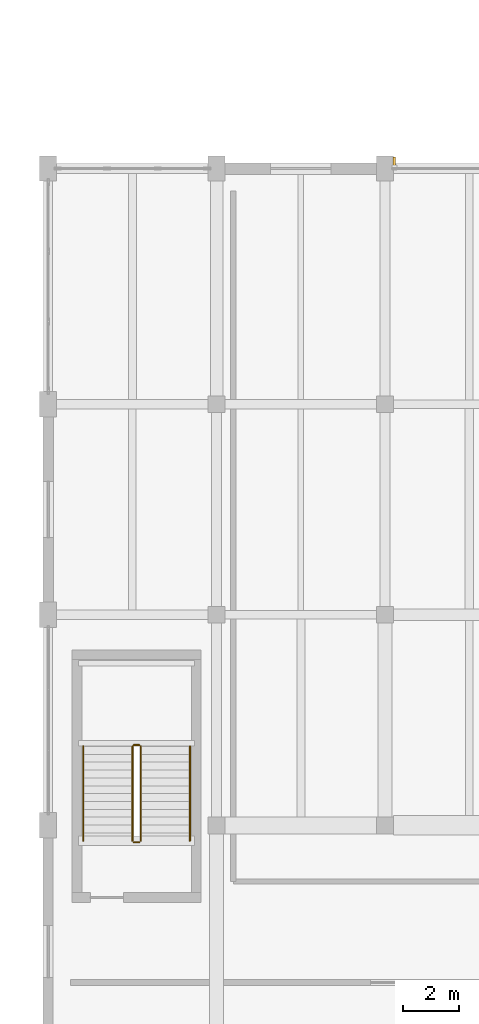
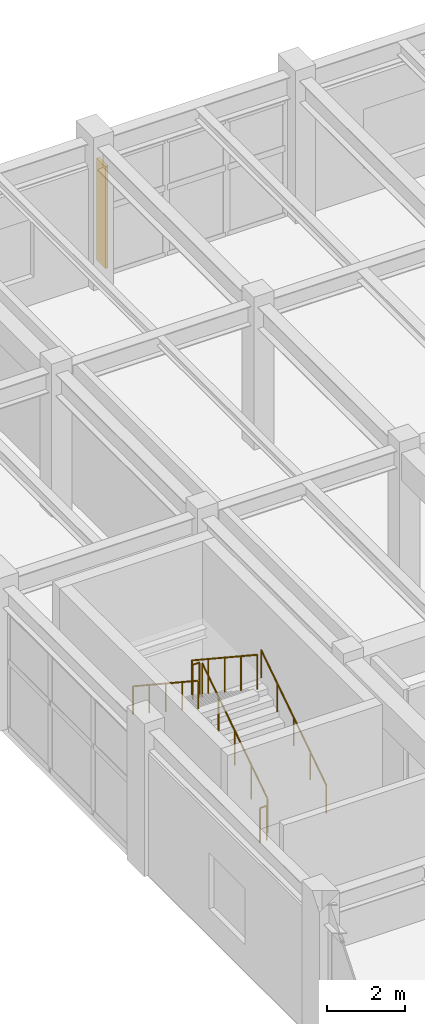
# One storey, part 80 of 85: 6 railings, 1 shading device.
"""IFC4 building model written with IfcOpenShell, lengths in metres."""

from ifc_helpers import new_model, si_unit, direction, frame, origin, origin_2d, place, context, subcontext, project, spatial, rectangle, circle, extrude, material, type_object, element, save


model = new_model("IFC4")

# Units and contexts
model_context = context("Model", 3, precision=1e-05, world=origin(), true_north=direction((0.0, 1.0)))
body_context = subcontext(model_context, "Body", "Model", "MODEL_VIEW")
ifc_project = project(units=[si_unit("LENGTHUNIT", "METRE"), si_unit("AREAUNIT", "SQUARE_METRE"), si_unit("VOLUMEUNIT", "CUBIC_METRE"), si_unit("PLANEANGLEUNIT", "RADIAN"), si_unit("MASSUNIT", "GRAM", prefix="KILO")], contexts=[model_context])

# Site, building, storey
site_placement = place(None, origin())
site = spatial("IfcSite", under=ifc_project, at=site_placement, CompositionType="ELEMENT")
building_placement = place(site_placement, origin())
building = spatial("IfcBuilding", under=site, at=building_placement, Name="Vaelkrest Opera House", CompositionType="ELEMENT")
storey_placement = place(building_placement, frame((0.0, 0.0, 10.199951171875)))
storey = spatial("IfcBuildingStorey", under=building, at=storey_placement, Name="L02", CompositionType="ELEMENT", Elevation=10.199951171875)

# Shading device
ifc_material = material(Name="Dark bronze anodized aluminium", Category="aluminium")
shading_device_type = type_object("IfcShadingDeviceType", Name="FIN01", PredefinedType="USERDEFINED", material=ifc_material)
shading_device_placement = place(storey_placement, frame((-63.26708984375, 33.780029296875, 0.2431640625), z_axis=(0.0, 0.0, 1.0), x_axis=(0.0, 1.0, 0.0)))
element("IfcShadingDevice", 1, at=shading_device_placement, inside=storey, type_object=shading_device_type, Name="Bronze vertical facade fin 14", ObjectType="FIN", PredefinedType="USERDEFINED", context=body_context, shape_type="SweptSolid", body=[
    extrude(rectangle(XDim=0.449951171875, YDim=0.080078125, at=origin_2d()), origin(), (0.0, 0.0, 1.0), 3.199951171875),
])

# Railings
railing_type_1 = type_object("IfcRailingType", Name="GR02", PredefinedType="GUARDRAIL", material=ifc_material)
railing_1_placement = place(storey_placement, frame((-72.300048828125, 9.64990234375, 0.1845703125)))
element("IfcRailing", 2, at=railing_1_placement, inside=storey, type_object=railing_type_1, Name="L02 ST07 stair guard 1", PredefinedType="GUARDRAIL", context=body_context, shape_type="SweptSolid", body=[
    extrude(circle(Radius=0.02392578125, at=origin_2d()), frame((0.0, 0.0, 1.076171875), z_axis=(0.0, 0.834848600103, 0.550479622607), x_axis=(-1.0, 0.0, 0.0)), (0.0, 0.0, 1.0), 4.02490234375),
    extrude(circle(Radius=0.02099609375, at=origin_2d()), origin(), (0.0, 0.0, 1.0), 1.052001953125),
    extrude(circle(Radius=0.02099609375, at=origin_2d()), frame((0.0, 0.840087890625, 0.553955078125)), (0.0, 0.0, 1.0), 1.052001953125),
    extrude(circle(Radius=0.02099609375, at=origin_2d()), frame((0.0, 1.68017578125, 1.10791015625)), (0.0, 0.0, 1.0), 1.052001953125),
    extrude(circle(Radius=0.02099609375, at=origin_2d()), frame((0.0, 2.52001953125, 1.66162109375)), (0.0, 0.0, 1.0), 1.052001953125),
    extrude(circle(Radius=0.02099609375, at=origin_2d()), frame((0.0, 3.360107421875, 2.215576171875)), (0.0, 0.0, 1.0), 1.052001953125),
])
railing_2_placement = place(storey_placement, frame((-72.35009765625, 13.06005859375, 2.400146484375)))
element("IfcRailing", 3, at=railing_2_placement, inside=storey, type_object=railing_type_1, Name="L02 ST07 stair guard 2", PredefinedType="GUARDRAIL", context=body_context, shape_type="SweptSolid", body=[
    extrude(circle(Radius=0.02392578125, at=origin_2d()), frame((0.0, 0.0, 1.076171875), z_axis=(-1.0, 0.0, 0.0), x_axis=(0.0, -1.0, 0.0)), (0.0, 0.0, 1.0), 0.199951171875),
    extrude(circle(Radius=0.02099609375, at=origin_2d()), origin(), (0.0, 0.0, 1.0), 1.052001953125),
    extrude(circle(Radius=0.02099609375, at=origin_2d()), frame((-0.199951171875, 0.0, 0.0)), (0.0, 0.0, 1.0), 1.052001953125),
])
railing_3_placement = place(storey_placement, frame((-72.60009765625, 13.010009765625, 2.584716796875)))
element("IfcRailing", 4, at=railing_3_placement, inside=storey, type_object=railing_type_1, Name="L02 ST07 stair guard 3", PredefinedType="GUARDRAIL", context=body_context, shape_type="SweptSolid", body=[
    extrude(circle(Radius=0.02392578125, at=origin_2d()), frame((0.0, 0.0, 1.076171875), z_axis=(0.0, -0.834876476806, 0.550437342915), x_axis=(1.0, 0.0, 0.0)), (0.0, 0.0, 1.0), 4.024658203125),
    extrude(circle(Radius=0.02099609375, at=origin_2d()), origin(), (0.0, 0.0, 1.0), 1.052001953125),
    extrude(circle(Radius=0.02099609375, at=origin_2d()), frame((0.0, -0.840087890625, 0.5537109375)), (0.0, 0.0, 1.0), 1.052001953125),
    extrude(circle(Radius=0.02099609375, at=origin_2d()), frame((0.0, -1.68017578125, 1.107666015625)), (0.0, 0.0, 1.0), 1.052001953125),
    extrude(circle(Radius=0.02099609375, at=origin_2d()), frame((0.0, -2.52001953125, 1.66162109375)), (0.0, 0.0, 1.0), 1.052001953125),
    extrude(circle(Radius=0.02099609375, at=origin_2d()), frame((0.0, -3.360107421875, 2.21533203125)), (0.0, 0.0, 1.0), 1.052001953125),
])
railing_4_placement = place(storey_placement, frame((-72.35009765625, 9.60009765625, 0.0)))
element("IfcRailing", 5, at=railing_4_placement, inside=storey, type_object=railing_type_1, Name="L02 ST07 stair guard 4", PredefinedType="GUARDRAIL", context=body_context, shape_type="SweptSolid", body=[
    extrude(circle(Radius=0.02392578125, at=origin_2d()), frame((0.0, 0.0, 1.076171875), z_axis=(-1.0, 0.0, 0.0), x_axis=(0.0, -1.0, 0.0)), (0.0, 0.0, 1.0), 0.199951171875),
    extrude(circle(Radius=0.02099609375, at=origin_2d()), origin(), (0.0, 0.0, 1.0), 1.052001953125),
    extrude(circle(Radius=0.02099609375, at=origin_2d()), frame((-0.199951171875, 0.0, 0.0)), (0.0, 0.0, 1.0), 1.052001953125),
])
railing_type_2 = type_object("IfcRailingType", Name="HR02", PredefinedType="HANDRAIL", material=ifc_material)
railing_5_placement = place(storey_placement, frame((-70.550048828125, 9.64990234375, 0.1845703125)))
element("IfcRailing", 6, at=railing_5_placement, inside=storey, type_object=railing_type_2, Name="L02 ST07 stair handrail 1", PredefinedType="HANDRAIL", context=body_context, shape_type="SweptSolid", body=[
    extrude(circle(Radius=0.02392578125, at=origin_2d()), frame((0.0, 0.0, 0.8759765625), z_axis=(0.0, 0.834848600103, 0.550479622607), x_axis=(-1.0, 0.0, 0.0)), (0.0, 0.0, 1.0), 4.02490234375),
    extrude(circle(Radius=0.02099609375, at=origin_2d()), origin(), (0.0, 0.0, 1.0), 0.851806640625),
    extrude(circle(Radius=0.02099609375, at=origin_2d()), frame((0.0, 0.840087890625, 0.553955078125)), (0.0, 0.0, 1.0), 0.851806640625),
    extrude(circle(Radius=0.02099609375, at=origin_2d()), frame((0.0, 1.68017578125, 1.10791015625)), (0.0, 0.0, 1.0), 0.851806640625),
    extrude(circle(Radius=0.02099609375, at=origin_2d()), frame((0.0, 2.52001953125, 1.66162109375)), (0.0, 0.0, 1.0), 0.851806640625),
    extrude(circle(Radius=0.02099609375, at=origin_2d()), frame((0.0, 3.360107421875, 2.215576171875)), (0.0, 0.0, 1.0), 0.851806640625),
])
railing_6_placement = place(storey_placement, frame((-74.35009765625, 13.010009765625, 2.584716796875)))
element("IfcRailing", 7, at=railing_6_placement, inside=storey, type_object=railing_type_2, Name="L02 ST07 stair handrail 2", PredefinedType="HANDRAIL", context=body_context, shape_type="SweptSolid", body=[
    extrude(circle(Radius=0.02392578125, at=origin_2d()), frame((0.0, 0.0, 0.8759765625), z_axis=(0.0, -0.834876476806, 0.550437342915), x_axis=(1.0, 0.0, 0.0)), (0.0, 0.0, 1.0), 4.024658203125),
    extrude(circle(Radius=0.02099609375, at=origin_2d()), origin(), (0.0, 0.0, 1.0), 0.851806640625),
    extrude(circle(Radius=0.02099609375, at=origin_2d()), frame((0.0, -0.840087890625, 0.5537109375)), (0.0, 0.0, 1.0), 0.851806640625),
    extrude(circle(Radius=0.02099609375, at=origin_2d()), frame((0.0, -1.68017578125, 1.107666015625)), (0.0, 0.0, 1.0), 0.851806640625),
    extrude(circle(Radius=0.02099609375, at=origin_2d()), frame((0.0, -2.52001953125, 1.66162109375)), (0.0, 0.0, 1.0), 0.851806640625),
    extrude(circle(Radius=0.02099609375, at=origin_2d()), frame((0.0, -3.360107421875, 2.21533203125)), (0.0, 0.0, 1.0), 0.851806640625),
])

save(model, "model.ifc")
